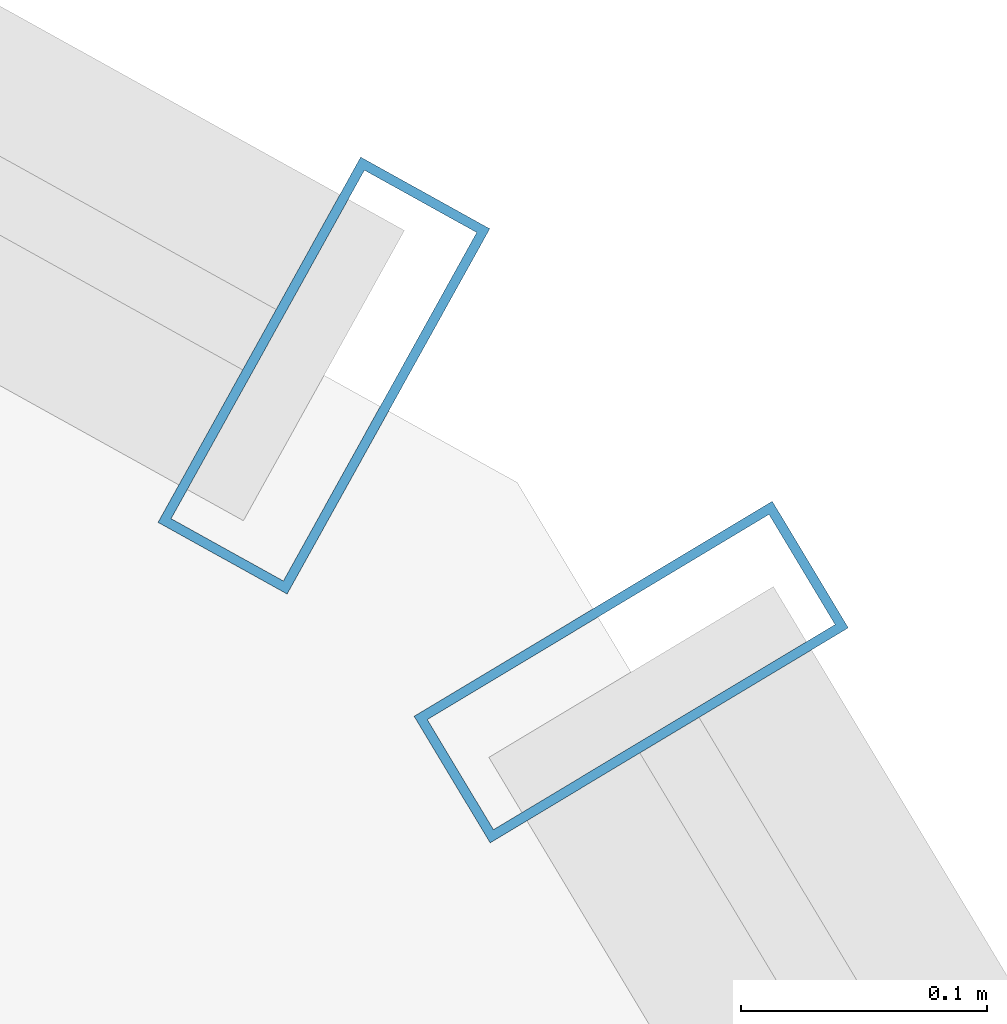
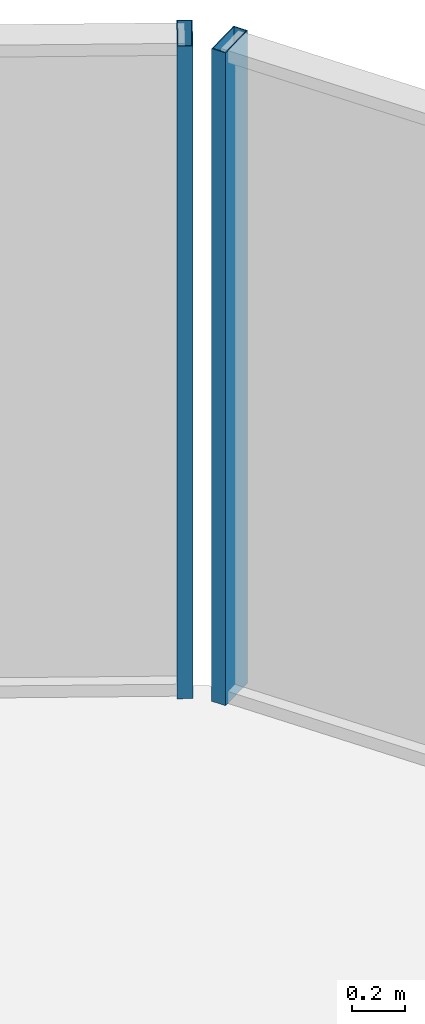
# One storey, part 33 of 39: 2 members, 2 elements without a shape of their own.
"""IFC4 building model written with IfcOpenShell, lengths in metres."""

from ifc_helpers import new_model, si_unit, direction, frame, origin, origin_2d, place, context, subcontext, project, spatial, hollow_rectangle, extrude, source, transform, mapped, material, layer, layer_set, material_profile, profile_set, type_object, element, aggregate, save


model = new_model("IFC4")

# Units and contexts
model_context = context("Model", 3, precision=1e-05, world=origin(), true_north=direction((0.0, 1.0)))
body_context = subcontext(model_context, "Body", "Model", "MODEL_VIEW")
ifc_project = project(units=[si_unit("LENGTHUNIT", "METRE"), si_unit("AREAUNIT", "SQUARE_METRE"), si_unit("VOLUMEUNIT", "CUBIC_METRE"), si_unit("PLANEANGLEUNIT", "RADIAN"), si_unit("MASSUNIT", "GRAM", prefix="KILO")], contexts=[model_context])

# Site, building, storey
site_placement = place(None, origin())
site = spatial("IfcSite", under=ifc_project, at=site_placement, CompositionType="ELEMENT")
building_placement = place(site_placement, origin())
building = spatial("IfcBuilding", under=site, at=building_placement, Name="Veraguas Prism Commons", CompositionType="ELEMENT")
storey_placement = place(building_placement, frame((0.0, 0.0, 27.300048828125)))
storey = spatial("IfcBuildingStorey", under=building, at=storey_placement, Name="L06", CompositionType="ELEMENT", Elevation=27.300048828125)

# Curtain wall, member
ifc_material = material(Name="Anodised aluminium EN AW-6063 T6", Category="aluminium")
ifc_layer = layer(ifc_material, 0.169921875, Name="Unitised Flush Curtain Wall Zone 1", Category="aluminium")
ifc_layer_set = layer_set([ifc_layer], Name="Anodised aluminium EN AW-6063 T6")
curtain_wall_type = type_object("IfcCurtainWallType", Name="Unitised Flush Curtain Wall Zone 1", PredefinedType="NOTDEFINED", material=ifc_layer_set)
curtain_wall_1_placement = place(storey_placement, origin())
curtain_wall_1 = element("IfcCurtainWall", 1, at=curtain_wall_1_placement, inside=storey, type_object=curtain_wall_type, Name="Tower Facade Curtain Wall L06-F1", PredefinedType="NOTDEFINED")
ifc_material_profile = material_profile(ifc_material, hollow_rectangle(XDim=0.06005859375, YDim=0.169921875, WallThickness=0.00390625, at=origin_2d()), Name="AL60X170X4")
ifc_profile_set = profile_set([ifc_material_profile], Name="Anodised aluminium EN AW-6063 T6")
member_type = type_object("IfcMemberType", Name="Curtain Wall Mullion Lower AL 60x170x4", PredefinedType="MULLION", material=ifc_profile_set)
shared_shape = source(origin(), body_context, "Body", "SweptSolid", [
    extrude(hollow_rectangle(XDim=0.06005859375, YDim=0.169921875, WallThickness=0.00390625, at=origin_2d()), origin(), (0.0, 0.0, 1.0), 3.0),
])
member_1_placement = place(storey_placement, frame((37.0263671875, 42.682373046875, 0.0), z_axis=(0.0, 0.0, 1.0), x_axis=(-0.51473434664, 0.857349725835, 0.0)))
member_1 = element("IfcMember", 2, at=member_1_placement, type_object=member_type, Name="CW-Z1 Mullion 5", PredefinedType="MULLION", context=body_context, shape_type="MappedRepresentation", body=[
    mapped(shared_shape, transform((0.0, 0.0, 0.0), scale=1.0)),
])
aggregate(curtain_wall_1, [member_1])

curtain_wall_2_placement = place(storey_placement, origin())
curtain_wall_2 = element("IfcCurtainWall", 3, at=curtain_wall_2_placement, inside=storey, type_object=curtain_wall_type, Name="Chamfer Curtain Wall L06-C2", PredefinedType="NOTDEFINED")
member_2_placement = place(storey_placement, frame((36.9013671875, 42.802978515625, 0.0), z_axis=(0.0, 0.0, 1.0), x_axis=(-0.874445343216, 0.485124047773, 0.0)))
member_2 = element("IfcMember", 4, at=member_2_placement, type_object=member_type, Name="CW-Z1 Mullion 1", PredefinedType="MULLION", context=body_context, shape_type="MappedRepresentation", body=[
    mapped(shared_shape, transform((0.0, 0.0, 0.0), scale=1.0)),
])
aggregate(curtain_wall_2, [member_2])

save(model, "model.ifc")
